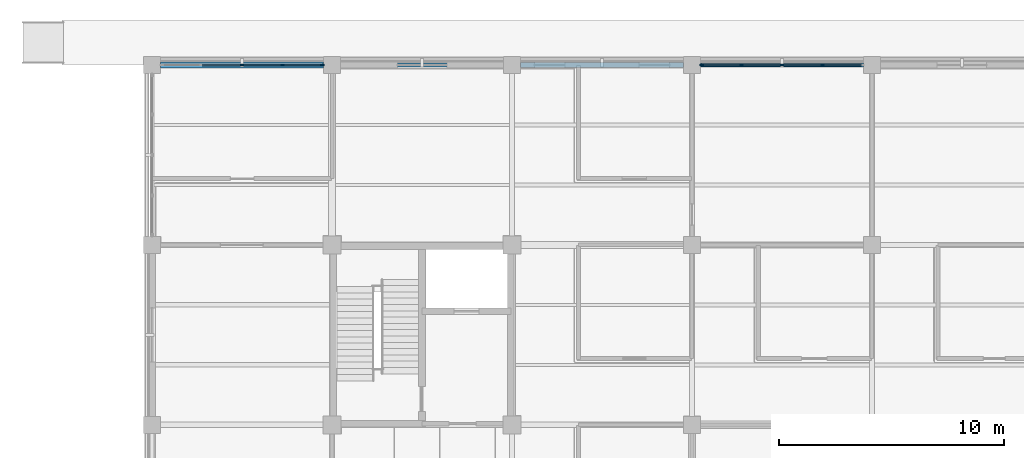
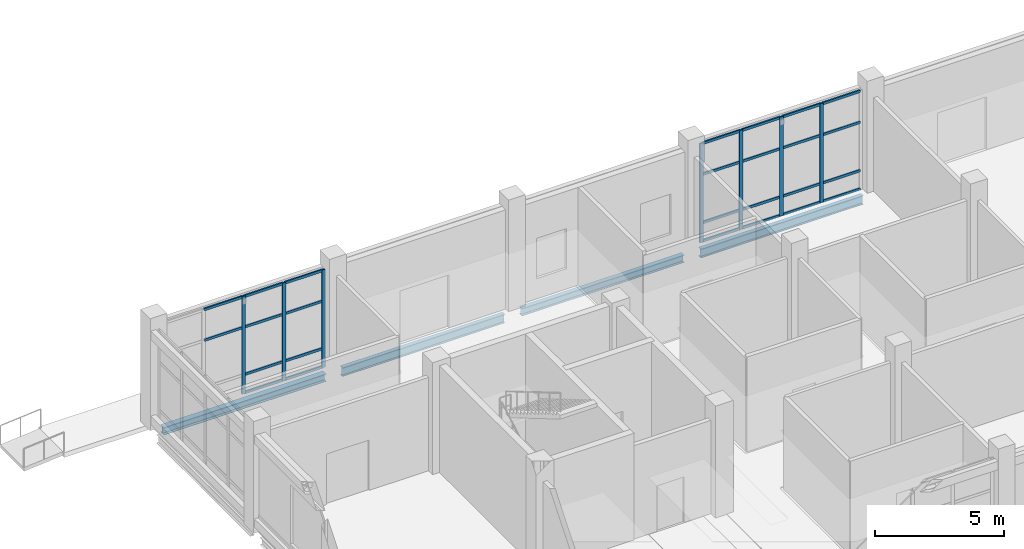
# One storey, part 46 of 105: 33 members, 4 beams, 2 elements without a shape of their own.
"""IFC4 building model written with IfcOpenShell, lengths in metres."""

from ifc_helpers import new_model, si_unit, derived_unit, direction, frame, origin, origin_2d, place, context, subcontext, project, spatial, rectangle, i_section, extrude, material, layer, layer_set, material_profile, profile_set, type_object, element, aggregate, save


model = new_model("IFC4")

# Units and contexts
model_context = context("Model", 3, precision=1e-05, world=origin(), true_north=direction((0.0, 1.0)))
body_context = subcontext(model_context, "Body", "Model", "MODEL_VIEW")
ifc_project = project(units=[si_unit("LENGTHUNIT", "METRE"), si_unit("AREAUNIT", "SQUARE_METRE"), si_unit("VOLUMEUNIT", "CUBIC_METRE"), si_unit("PLANEANGLEUNIT", "RADIAN"), si_unit("MASSUNIT", "GRAM", prefix="KILO"), derived_unit("THERMALTRANSMITTANCEUNIT", [(si_unit("MASSUNIT", "GRAM", prefix="KILO"), 1), (si_unit("TIMEUNIT", "SECOND"), -3), (si_unit("THERMODYNAMICTEMPERATUREUNIT", "KELVIN"), -1)])], contexts=[model_context])

# Site, building, storey
site_placement = place(None, origin())
site = spatial("IfcSite", under=ifc_project, at=site_placement, CompositionType="ELEMENT")
building_placement = place(site_placement, origin())
building = spatial("IfcBuilding", under=site, at=building_placement, Name="Veyamyaing Civic Hall", CompositionType="ELEMENT")
storey_placement = place(building_placement, origin())
storey = spatial("IfcBuildingStorey", under=building, at=storey_placement, Name="L00", CompositionType="ELEMENT", Elevation=0.0)

# Beams
ifc_material_1 = material(Name="Steel ASTM A992", Category="steel")
ifc_material_profile_1 = material_profile(ifc_material_1, i_section(OverallWidth=0.179931640625, OverallDepth=0.4130859375, WebThickness=0.009765625, FlangeThickness=0.01611328125, FilletRadius=0.010009765625, at=origin_2d()), Name="W410X74")
ifc_profile_set_1 = profile_set([ifc_material_profile_1], Name="Steel ASTM A992")
beam_type_1 = type_object("IfcBeamType", Name="B-10", PredefinedType="SPANDREL", material=ifc_profile_set_1)
beam_1_placement = place(storey_placement, frame((136.375, 112.0, -0.4814453125), z_axis=(1.0, 0.0, 0.0), x_axis=(0.0, 1.0, 0.0)))
element("IfcBeam", 1, at=beam_1_placement, inside=storey, type_object=beam_type_1, Name="Girder B-10 L00 Grid Q 18-19", PredefinedType="SPANDREL", context=body_context, shape_type="SweptSolid", body=[
    extrude(i_section(OverallWidth=0.179931640625, OverallDepth=0.4130859375, WebThickness=0.009765625, FlangeThickness=0.01611328125, FilletRadius=0.010009765625, at=origin_2d()), origin(), (0.0, 0.0, 1.0), 7.25),
])
ifc_material_profile_2 = material_profile(ifc_material_1, i_section(OverallWidth=0.2041015625, OverallDepth=0.35009765625, WebThickness=0.0078125, FlangeThickness=0.01513671875, FilletRadius=0.010009765625, at=origin_2d()), Name="W360X72")
ifc_profile_set_2 = profile_set([ifc_material_profile_2], Name="Steel ASTM A992")
beam_type_2 = type_object("IfcBeamType", Name="B-11", PredefinedType="SPANDREL", material=ifc_profile_set_2)
beam_2_placement = place(storey_placement, frame((144.375, 112.0, -0.449951171875), z_axis=(1.0, 0.0, 0.0), x_axis=(0.0, 1.0, 0.0)))
element("IfcBeam", 2, at=beam_2_placement, inside=storey, type_object=beam_type_2, Name="Girder B-11 L00 Grid Q 19-20", PredefinedType="SPANDREL", context=body_context, shape_type="SweptSolid", body=[
    extrude(i_section(OverallWidth=0.2041015625, OverallDepth=0.35009765625, WebThickness=0.0078125, FlangeThickness=0.01513671875, FilletRadius=0.010009765625, at=origin_2d()), origin(), (0.0, 0.0, 1.0), 7.25),
])
ifc_material_profile_3 = material_profile(ifc_material_1, i_section(OverallWidth=0.180908203125, OverallDepth=0.4169921875, WebThickness=0.010986328125, FlangeThickness=0.018310546875, FilletRadius=0.010009765625, at=origin_2d()), Name="W410X85")
ifc_profile_set_3 = profile_set([ifc_material_profile_3], Name="Steel ASTM A992")
beam_type_3 = type_object("IfcBeamType", Name="B-19", PredefinedType="SPANDREL", material=ifc_profile_set_3)
beam_3_placement = place(storey_placement, frame((152.375, 112.0, -0.4833984375), z_axis=(1.0, 0.0, 0.0), x_axis=(0.0, 1.0, 0.0)))
element("IfcBeam", 3, at=beam_3_placement, inside=storey, type_object=beam_type_3, Name="Girder B-19 L00 Grid Q 20-21", PredefinedType="SPANDREL", context=body_context, shape_type="SweptSolid", body=[
    extrude(i_section(OverallWidth=0.180908203125, OverallDepth=0.4169921875, WebThickness=0.010986328125, FlangeThickness=0.018310546875, FilletRadius=0.010009765625, at=origin_2d()), origin(), (0.0, 0.0, 1.0), 7.25),
])
ifc_material_profile_4 = material_profile(ifc_material_1, i_section(OverallWidth=0.25390625, OverallDepth=0.35302734375, WebThickness=0.009521484375, FlangeThickness=0.016357421875, FilletRadius=0.011962890625, at=origin_2d()), Name="W360X91")
ifc_profile_set_4 = profile_set([ifc_material_profile_4], Name="Steel ASTM A992")
beam_type_4 = type_object("IfcBeamType", Name="B-20", PredefinedType="SPANDREL", material=ifc_profile_set_4)
beam_4_placement = place(storey_placement, frame((128.375, 112.0, -0.451416015625), z_axis=(1.0, 0.0, 0.0), x_axis=(0.0, 1.0, 0.0)))
element("IfcBeam", 4, at=beam_4_placement, inside=storey, type_object=beam_type_4, Name="Girder B-20 L00 Grid Q 17-18", PredefinedType="SPANDREL", context=body_context, shape_type="SweptSolid", body=[
    extrude(i_section(OverallWidth=0.25390625, OverallDepth=0.35302734375, WebThickness=0.009521484375, FlangeThickness=0.016357421875, FilletRadius=0.011962890625, at=origin_2d()), origin(), (0.0, 0.0, 1.0), 7.25),
])

# Curtain wall, members
ifc_material_2 = material(Name="Anodised aluminium 6063-T6", Category="aluminium")
ifc_layer = layer(ifc_material_2, 0.159912109375, Name="Anodised aluminium 6063-T6")
ifc_layer_set = layer_set([ifc_layer], Name="Anodised aluminium 6063-T6")
curtain_wall_type = type_object("IfcCurtainWallType", Name="CW-01", PredefinedType="NOTDEFINED", material=ifc_layer_set)
curtain_wall_1_placement = place(storey_placement, origin())
curtain_wall_1 = element("IfcCurtainWall", 5, at=curtain_wall_1_placement, inside=storey, type_object=curtain_wall_type, Name="Unitized curtain wall CW-01 L00 N 17.14", PredefinedType="NOTDEFINED")
ifc_material_profile_5 = material_profile(ifc_material_2, rectangle(XDim=0.06494140625, YDim=0.159912109375, at=origin_2d()), Name="ALU-MUL-65X160")
ifc_profile_set_5 = profile_set([ifc_material_profile_5], Name="Anodised aluminium 6063-T6")
member_type_1 = type_object("IfcMemberType", Name="CWM-01", PredefinedType="MULLION", material=ifc_profile_set_5)
member_1_placement = place(storey_placement, frame((132.0, 112.0, 0.0), z_axis=(0.0, 0.0, 1.0), x_axis=(0.0, 1.0, 0.0)))
member_1 = element("IfcMember", 6, at=member_1_placement, type_object=member_type_1, Name="CW-01 mullion 3", PredefinedType="MULLION", context=body_context, shape_type="SweptSolid", body=[
    extrude(rectangle(XDim=0.06494140625, YDim=0.159912109375, at=origin_2d()), origin(), (0.0, 0.0, 1.0), 4.614013671875),
])
member_2_placement = place(storey_placement, frame((133.797607421875, 112.0, 0.0), z_axis=(0.0, 0.0, 1.0), x_axis=(0.0, 1.0, 0.0)))
member_2 = element("IfcMember", 7, at=member_2_placement, type_object=member_type_1, Name="CW-01 mullion 4", PredefinedType="MULLION", context=body_context, shape_type="SweptSolid", body=[
    extrude(rectangle(XDim=0.06494140625, YDim=0.159912109375, at=origin_2d()), origin(), (0.0, 0.0, 1.0), 4.614013671875),
])
member_3_placement = place(storey_placement, frame((135.5625, 112.0, 0.0), z_axis=(0.0, 0.0, 1.0), x_axis=(0.0, 1.0, 0.0)))
member_3 = element("IfcMember", 8, at=member_3_placement, type_object=member_type_1, Name="CW-01 mullion 5", PredefinedType="MULLION", context=body_context, shape_type="SweptSolid", body=[
    extrude(rectangle(XDim=0.06494140625, YDim=0.159912109375, at=origin_2d()), origin(), (0.0, 0.0, 1.0), 4.614013671875),
])

curtain_wall_2_placement = place(storey_placement, origin())
curtain_wall_2 = element("IfcCurtainWall", 9, at=curtain_wall_2_placement, inside=storey, type_object=curtain_wall_type, Name="Unitized curtain wall CW-01 L00 N 20.14", PredefinedType="NOTDEFINED")
member_4_placement = place(storey_placement, frame((152.4375, 112.0, 0.0), z_axis=(0.0, 0.0, 1.0), x_axis=(0.0, 1.0, 0.0)))
member_4 = element("IfcMember", 10, at=member_4_placement, type_object=member_type_1, Name="CW-01 mullion 1", PredefinedType="MULLION", context=body_context, shape_type="SweptSolid", body=[
    extrude(rectangle(XDim=0.06494140625, YDim=0.159912109375, at=origin_2d()), origin(), (0.0, 0.0, 1.0), 4.674072265625),
])
member_5_placement = place(storey_placement, frame((154.202392578125, 112.0, 0.0), z_axis=(0.0, 0.0, 1.0), x_axis=(0.0, 1.0, 0.0)))
member_5 = element("IfcMember", 11, at=member_5_placement, type_object=member_type_1, Name="CW-01 mullion 2", PredefinedType="MULLION", context=body_context, shape_type="SweptSolid", body=[
    extrude(rectangle(XDim=0.06494140625, YDim=0.159912109375, at=origin_2d()), origin(), (0.0, 0.0, 1.0), 4.674072265625),
])
member_6_placement = place(storey_placement, frame((156.0, 112.0, 0.0), z_axis=(0.0, 0.0, 1.0), x_axis=(0.0, 1.0, 0.0)))
member_6 = element("IfcMember", 12, at=member_6_placement, type_object=member_type_1, Name="CW-01 mullion 3", PredefinedType="MULLION", context=body_context, shape_type="SweptSolid", body=[
    extrude(rectangle(XDim=0.06494140625, YDim=0.159912109375, at=origin_2d()), origin(), (0.0, 0.0, 1.0), 4.674072265625),
])
member_7_placement = place(storey_placement, frame((157.797607421875, 112.0, 0.0), z_axis=(0.0, 0.0, 1.0), x_axis=(0.0, 1.0, 0.0)))
member_7 = element("IfcMember", 13, at=member_7_placement, type_object=member_type_1, Name="CW-01 mullion 4", PredefinedType="MULLION", context=body_context, shape_type="SweptSolid", body=[
    extrude(rectangle(XDim=0.06494140625, YDim=0.159912109375, at=origin_2d()), origin(), (0.0, 0.0, 1.0), 4.674072265625),
])

# Member
ifc_material_profile_6 = material_profile(ifc_material_2, rectangle(XDim=0.06494140625, YDim=0.1201171875, at=origin_2d()), Name="ALU-TRN-65X120")
ifc_profile_set_6 = profile_set([ifc_material_profile_6], Name="Anodised aluminium 6063-T6")
member_type_2 = type_object("IfcMemberType", Name="CWT-01", PredefinedType="USERDEFINED", material=ifc_profile_set_6)
member_8_placement = place(storey_placement, frame((130.235107421875, 112.0, 3.137451171875), z_axis=(1.0, 0.0, 0.0), x_axis=(0.0, 1.0, 0.0)))
member_8 = element("IfcMember", 14, at=member_8_placement, type_object=member_type_2, Name="CW-01 transom 2.3", ObjectType="TRANSOM", PredefinedType="USERDEFINED", context=body_context, shape_type="SweptSolid", body=[
    extrude(rectangle(XDim=0.06494140625, YDim=0.1201171875, at=origin_2d()), origin(), (0.0, 0.0, 1.0), 1.732421875),
])

member_9_placement = place(storey_placement, frame((130.235107421875, 112.0, 4.58154296875), z_axis=(1.0, 0.0, 0.0), x_axis=(0.0, 1.0, 0.0)))
member_9 = element("IfcMember", 15, at=member_9_placement, type_object=member_type_2, Name="CW-01 transom 2.4", ObjectType="TRANSOM", PredefinedType="USERDEFINED", context=body_context, shape_type="SweptSolid", body=[
    extrude(rectangle(XDim=0.06494140625, YDim=0.1201171875, at=origin_2d()), origin(), (0.0, 0.0, 1.0), 1.732421875),
])

member_10_placement = place(storey_placement, frame((132.032470703125, 112.0, 0.032470703125), z_axis=(1.0, 0.0, 0.0), x_axis=(0.0, 1.0, 0.0)))
member_10 = element("IfcMember", 16, at=member_10_placement, type_object=member_type_2, Name="CW-01 transom 3.1", ObjectType="TRANSOM", PredefinedType="USERDEFINED", context=body_context, shape_type="SweptSolid", body=[
    extrude(rectangle(XDim=0.06494140625, YDim=0.1201171875, at=origin_2d()), origin(), (0.0, 0.0, 1.0), 1.732421875),
])

member_11_placement = place(storey_placement, frame((132.032470703125, 112.0, 0.89990234375), z_axis=(1.0, 0.0, 0.0), x_axis=(0.0, 1.0, 0.0)))
member_11 = element("IfcMember", 17, at=member_11_placement, type_object=member_type_2, Name="CW-01 transom 3.2", ObjectType="TRANSOM", PredefinedType="USERDEFINED", context=body_context, shape_type="SweptSolid", body=[
    extrude(rectangle(XDim=0.06494140625, YDim=0.1201171875, at=origin_2d()), origin(), (0.0, 0.0, 1.0), 1.732421875),
])

member_12_placement = place(storey_placement, frame((132.032470703125, 112.0, 3.137451171875), z_axis=(1.0, 0.0, 0.0), x_axis=(0.0, 1.0, 0.0)))
member_12 = element("IfcMember", 18, at=member_12_placement, type_object=member_type_2, Name="CW-01 transom 3.3", ObjectType="TRANSOM", PredefinedType="USERDEFINED", context=body_context, shape_type="SweptSolid", body=[
    extrude(rectangle(XDim=0.06494140625, YDim=0.1201171875, at=origin_2d()), origin(), (0.0, 0.0, 1.0), 1.732421875),
])

member_13_placement = place(storey_placement, frame((132.032470703125, 112.0, 4.58154296875), z_axis=(1.0, 0.0, 0.0), x_axis=(0.0, 1.0, 0.0)))
member_13 = element("IfcMember", 19, at=member_13_placement, type_object=member_type_2, Name="CW-01 transom 3.4", ObjectType="TRANSOM", PredefinedType="USERDEFINED", context=body_context, shape_type="SweptSolid", body=[
    extrude(rectangle(XDim=0.06494140625, YDim=0.1201171875, at=origin_2d()), origin(), (0.0, 0.0, 1.0), 1.732421875),
])

member_14_placement = place(storey_placement, frame((133.830078125, 112.0, 0.032470703125), z_axis=(1.0, 0.0, 0.0), x_axis=(0.0, 1.0, 0.0)))
member_14 = element("IfcMember", 20, at=member_14_placement, type_object=member_type_2, Name="CW-01 transom 4.1", ObjectType="TRANSOM", PredefinedType="USERDEFINED", context=body_context, shape_type="SweptSolid", body=[
    extrude(rectangle(XDim=0.06494140625, YDim=0.1201171875, at=origin_2d()), origin(), (0.0, 0.0, 1.0), 1.699951171875),
])

member_15_placement = place(storey_placement, frame((133.830078125, 112.0, 0.89990234375), z_axis=(1.0, 0.0, 0.0), x_axis=(0.0, 1.0, 0.0)))
member_15 = element("IfcMember", 21, at=member_15_placement, type_object=member_type_2, Name="CW-01 transom 4.2", ObjectType="TRANSOM", PredefinedType="USERDEFINED", context=body_context, shape_type="SweptSolid", body=[
    extrude(rectangle(XDim=0.06494140625, YDim=0.1201171875, at=origin_2d()), origin(), (0.0, 0.0, 1.0), 1.699951171875),
])

member_16_placement = place(storey_placement, frame((133.830078125, 112.0, 3.137451171875), z_axis=(1.0, 0.0, 0.0), x_axis=(0.0, 1.0, 0.0)))
member_16 = element("IfcMember", 22, at=member_16_placement, type_object=member_type_2, Name="CW-01 transom 4.3", ObjectType="TRANSOM", PredefinedType="USERDEFINED", context=body_context, shape_type="SweptSolid", body=[
    extrude(rectangle(XDim=0.06494140625, YDim=0.1201171875, at=origin_2d()), origin(), (0.0, 0.0, 1.0), 1.699951171875),
])

member_17_placement = place(storey_placement, frame((133.830078125, 112.0, 4.58154296875), z_axis=(1.0, 0.0, 0.0), x_axis=(0.0, 1.0, 0.0)))
member_17 = element("IfcMember", 23, at=member_17_placement, type_object=member_type_2, Name="CW-01 transom 4.4", ObjectType="TRANSOM", PredefinedType="USERDEFINED", context=body_context, shape_type="SweptSolid", body=[
    extrude(rectangle(XDim=0.06494140625, YDim=0.1201171875, at=origin_2d()), origin(), (0.0, 0.0, 1.0), 1.699951171875),
])

aggregate(curtain_wall_1, [member_1, member_2, member_3, member_8, member_9, member_10, member_11, member_12, member_13, member_14, member_15, member_16, member_17])

member_18_placement = place(storey_placement, frame((152.469970703125, 112.0, 0.032470703125), z_axis=(1.0, 0.0, 0.0), x_axis=(0.0, 1.0, 0.0)))
member_18 = element("IfcMember", 24, at=member_18_placement, type_object=member_type_2, Name="CW-01 transom 1.1", ObjectType="TRANSOM", PredefinedType="USERDEFINED", context=body_context, shape_type="SweptSolid", body=[
    extrude(rectangle(XDim=0.06494140625, YDim=0.1201171875, at=origin_2d()), origin(), (0.0, 0.0, 1.0), 1.699951171875),
])

member_19_placement = place(storey_placement, frame((152.469970703125, 112.0, 0.89990234375), z_axis=(1.0, 0.0, 0.0), x_axis=(0.0, 1.0, 0.0)))
member_19 = element("IfcMember", 25, at=member_19_placement, type_object=member_type_2, Name="CW-01 transom 1.2", ObjectType="TRANSOM", PredefinedType="USERDEFINED", context=body_context, shape_type="SweptSolid", body=[
    extrude(rectangle(XDim=0.06494140625, YDim=0.1201171875, at=origin_2d()), origin(), (0.0, 0.0, 1.0), 1.699951171875),
])

member_20_placement = place(storey_placement, frame((152.469970703125, 112.0, 3.17822265625), z_axis=(1.0, 0.0, 0.0), x_axis=(0.0, 1.0, 0.0)))
member_20 = element("IfcMember", 26, at=member_20_placement, type_object=member_type_2, Name="CW-01 transom 1.3", ObjectType="TRANSOM", PredefinedType="USERDEFINED", context=body_context, shape_type="SweptSolid", body=[
    extrude(rectangle(XDim=0.06494140625, YDim=0.1201171875, at=origin_2d()), origin(), (0.0, 0.0, 1.0), 1.699951171875),
])

member_21_placement = place(storey_placement, frame((152.469970703125, 112.0, 4.6416015625), z_axis=(1.0, 0.0, 0.0), x_axis=(0.0, 1.0, 0.0)))
member_21 = element("IfcMember", 27, at=member_21_placement, type_object=member_type_2, Name="CW-01 transom 1.4", ObjectType="TRANSOM", PredefinedType="USERDEFINED", context=body_context, shape_type="SweptSolid", body=[
    extrude(rectangle(XDim=0.06494140625, YDim=0.1201171875, at=origin_2d()), origin(), (0.0, 0.0, 1.0), 1.699951171875),
])

member_22_placement = place(storey_placement, frame((154.235107421875, 112.0, 0.032470703125), z_axis=(1.0, 0.0, 0.0), x_axis=(0.0, 1.0, 0.0)))
member_22 = element("IfcMember", 28, at=member_22_placement, type_object=member_type_2, Name="CW-01 transom 2.1", ObjectType="TRANSOM", PredefinedType="USERDEFINED", context=body_context, shape_type="SweptSolid", body=[
    extrude(rectangle(XDim=0.06494140625, YDim=0.1201171875, at=origin_2d()), origin(), (0.0, 0.0, 1.0), 1.732421875),
])

member_23_placement = place(storey_placement, frame((154.235107421875, 112.0, 0.89990234375), z_axis=(1.0, 0.0, 0.0), x_axis=(0.0, 1.0, 0.0)))
member_23 = element("IfcMember", 29, at=member_23_placement, type_object=member_type_2, Name="CW-01 transom 2.2", ObjectType="TRANSOM", PredefinedType="USERDEFINED", context=body_context, shape_type="SweptSolid", body=[
    extrude(rectangle(XDim=0.06494140625, YDim=0.1201171875, at=origin_2d()), origin(), (0.0, 0.0, 1.0), 1.732421875),
])

member_24_placement = place(storey_placement, frame((154.235107421875, 112.0, 3.17822265625), z_axis=(1.0, 0.0, 0.0), x_axis=(0.0, 1.0, 0.0)))
member_24 = element("IfcMember", 30, at=member_24_placement, type_object=member_type_2, Name="CW-01 transom 2.3", ObjectType="TRANSOM", PredefinedType="USERDEFINED", context=body_context, shape_type="SweptSolid", body=[
    extrude(rectangle(XDim=0.06494140625, YDim=0.1201171875, at=origin_2d()), origin(), (0.0, 0.0, 1.0), 1.732421875),
])

member_25_placement = place(storey_placement, frame((154.235107421875, 112.0, 4.6416015625), z_axis=(1.0, 0.0, 0.0), x_axis=(0.0, 1.0, 0.0)))
member_25 = element("IfcMember", 31, at=member_25_placement, type_object=member_type_2, Name="CW-01 transom 2.4", ObjectType="TRANSOM", PredefinedType="USERDEFINED", context=body_context, shape_type="SweptSolid", body=[
    extrude(rectangle(XDim=0.06494140625, YDim=0.1201171875, at=origin_2d()), origin(), (0.0, 0.0, 1.0), 1.732421875),
])

member_26_placement = place(storey_placement, frame((156.032470703125, 112.0, 0.032470703125), z_axis=(1.0, 0.0, 0.0), x_axis=(0.0, 1.0, 0.0)))
member_26 = element("IfcMember", 32, at=member_26_placement, type_object=member_type_2, Name="CW-01 transom 3.1", ObjectType="TRANSOM", PredefinedType="USERDEFINED", context=body_context, shape_type="SweptSolid", body=[
    extrude(rectangle(XDim=0.06494140625, YDim=0.1201171875, at=origin_2d()), origin(), (0.0, 0.0, 1.0), 1.732421875),
])

member_27_placement = place(storey_placement, frame((156.032470703125, 112.0, 0.89990234375), z_axis=(1.0, 0.0, 0.0), x_axis=(0.0, 1.0, 0.0)))
member_27 = element("IfcMember", 33, at=member_27_placement, type_object=member_type_2, Name="CW-01 transom 3.2", ObjectType="TRANSOM", PredefinedType="USERDEFINED", context=body_context, shape_type="SweptSolid", body=[
    extrude(rectangle(XDim=0.06494140625, YDim=0.1201171875, at=origin_2d()), origin(), (0.0, 0.0, 1.0), 1.732421875),
])

member_28_placement = place(storey_placement, frame((156.032470703125, 112.0, 3.17822265625), z_axis=(1.0, 0.0, 0.0), x_axis=(0.0, 1.0, 0.0)))
member_28 = element("IfcMember", 34, at=member_28_placement, type_object=member_type_2, Name="CW-01 transom 3.3", ObjectType="TRANSOM", PredefinedType="USERDEFINED", context=body_context, shape_type="SweptSolid", body=[
    extrude(rectangle(XDim=0.06494140625, YDim=0.1201171875, at=origin_2d()), origin(), (0.0, 0.0, 1.0), 1.732421875),
])

member_29_placement = place(storey_placement, frame((156.032470703125, 112.0, 4.6416015625), z_axis=(1.0, 0.0, 0.0), x_axis=(0.0, 1.0, 0.0)))
member_29 = element("IfcMember", 35, at=member_29_placement, type_object=member_type_2, Name="CW-01 transom 3.4", ObjectType="TRANSOM", PredefinedType="USERDEFINED", context=body_context, shape_type="SweptSolid", body=[
    extrude(rectangle(XDim=0.06494140625, YDim=0.1201171875, at=origin_2d()), origin(), (0.0, 0.0, 1.0), 1.732421875),
])

member_30_placement = place(storey_placement, frame((157.830078125, 112.0, 0.032470703125), z_axis=(1.0, 0.0, 0.0), x_axis=(0.0, 1.0, 0.0)))
member_30 = element("IfcMember", 36, at=member_30_placement, type_object=member_type_2, Name="CW-01 transom 4.1", ObjectType="TRANSOM", PredefinedType="USERDEFINED", context=body_context, shape_type="SweptSolid", body=[
    extrude(rectangle(XDim=0.06494140625, YDim=0.1201171875, at=origin_2d()), origin(), (0.0, 0.0, 1.0), 1.699951171875),
])

member_31_placement = place(storey_placement, frame((157.830078125, 112.0, 0.89990234375), z_axis=(1.0, 0.0, 0.0), x_axis=(0.0, 1.0, 0.0)))
member_31 = element("IfcMember", 37, at=member_31_placement, type_object=member_type_2, Name="CW-01 transom 4.2", ObjectType="TRANSOM", PredefinedType="USERDEFINED", context=body_context, shape_type="SweptSolid", body=[
    extrude(rectangle(XDim=0.06494140625, YDim=0.1201171875, at=origin_2d()), origin(), (0.0, 0.0, 1.0), 1.699951171875),
])

member_32_placement = place(storey_placement, frame((157.830078125, 112.0, 3.17822265625), z_axis=(1.0, 0.0, 0.0), x_axis=(0.0, 1.0, 0.0)))
member_32 = element("IfcMember", 38, at=member_32_placement, type_object=member_type_2, Name="CW-01 transom 4.3", ObjectType="TRANSOM", PredefinedType="USERDEFINED", context=body_context, shape_type="SweptSolid", body=[
    extrude(rectangle(XDim=0.06494140625, YDim=0.1201171875, at=origin_2d()), origin(), (0.0, 0.0, 1.0), 1.699951171875),
])

member_33_placement = place(storey_placement, frame((157.830078125, 112.0, 4.6416015625), z_axis=(1.0, 0.0, 0.0), x_axis=(0.0, 1.0, 0.0)))
member_33 = element("IfcMember", 39, at=member_33_placement, type_object=member_type_2, Name="CW-01 transom 4.4", ObjectType="TRANSOM", PredefinedType="USERDEFINED", context=body_context, shape_type="SweptSolid", body=[
    extrude(rectangle(XDim=0.06494140625, YDim=0.1201171875, at=origin_2d()), origin(), (0.0, 0.0, 1.0), 1.699951171875),
])

aggregate(curtain_wall_2, [member_4, member_5, member_6, member_7, member_18, member_19, member_20, member_21, member_22, member_23, member_24, member_25, member_26, member_27, member_28, member_29, member_30, member_31, member_32, member_33])

save(model, "model.ifc")
